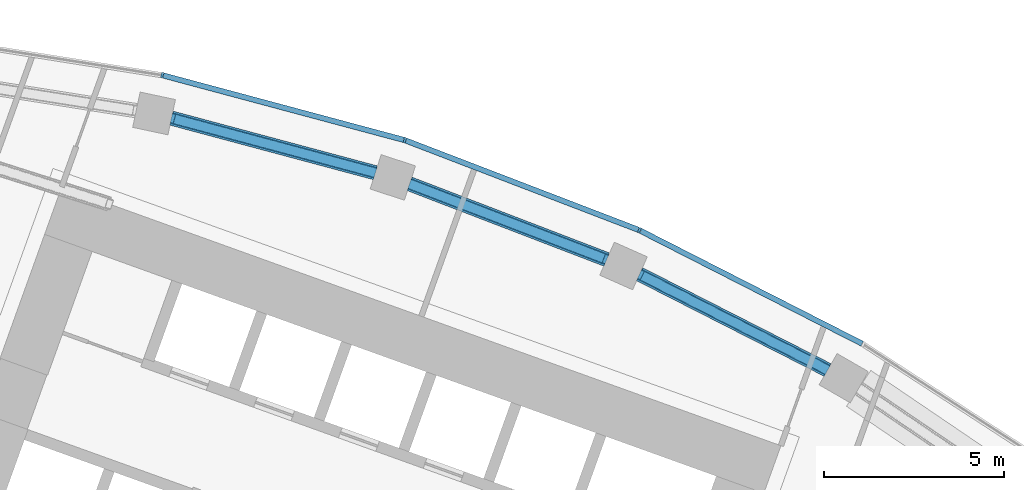
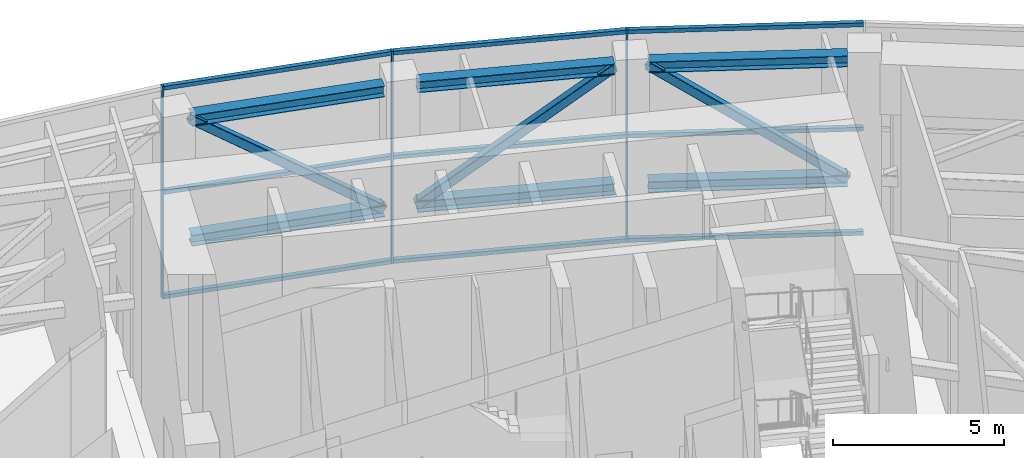
# One storey, part 13 of 32: 21 members, 1 element without a shape of its own.
"""IFC4 building model written with IfcOpenShell, lengths in metres."""

from ifc_helpers import new_model, si_unit, direction, frame, origin, origin_2d, place, context, subcontext, project, spatial, rectangle, hollow_rectangle, i_section, extrude, material, layer, layer_set, material_profile, profile_set, type_object, element, aggregate, save


model = new_model("IFC4")

# Units and contexts
model_context = context("Model", 3, precision=1e-05, world=origin(), true_north=direction((0.0, 1.0)))
body_context = subcontext(model_context, "Body", "Model", "MODEL_VIEW")
ifc_project = project(units=[si_unit("LENGTHUNIT", "METRE"), si_unit("AREAUNIT", "SQUARE_METRE"), si_unit("VOLUMEUNIT", "CUBIC_METRE"), si_unit("PLANEANGLEUNIT", "RADIAN"), si_unit("MASSUNIT", "GRAM", prefix="KILO")], contexts=[model_context])

# Site, building, storey
site_placement = place(None, origin())
site = spatial("IfcSite", under=ifc_project, at=site_placement, CompositionType="ELEMENT")
building_placement = place(site_placement, origin())
building = spatial("IfcBuilding", under=site, at=building_placement, Name="Stone Belt Terrace Tower", CompositionType="ELEMENT")
storey_placement = place(building_placement, frame((0.0, 0.0, 193.39990234375)))
storey = spatial("IfcBuildingStorey", under=building, at=storey_placement, Name="L47", CompositionType="ELEMENT", Elevation=193.39990234375)

# Members
ifc_material_1 = material(Name="Structural steel C345", Category="steel")
ifc_material_profile_1 = material_profile(ifc_material_1, i_section(OverallWidth=0.39794921875, OverallDepth=0.39404296875, WebThickness=0.010986328125, FlangeThickness=0.01806640625, at=origin_2d()), Name="I 40K1")
ifc_profile_set_1 = profile_set([ifc_material_profile_1], Name="Structural steel C345")
member_type_1 = type_object("IfcMemberType", Name="Belt chord I 40K1", PredefinedType="CHORD", material=ifc_profile_set_1)
for number, where, z_axis, x_axis, name in (
    (1, (14.099609375, 63.92822265625, 7.0830078125), (0.965917143819, -0.258851446349, 0.0), (0.258851446349, 0.965917143819, 0.0), "Belt truss T3 ring R top chord 11"),
    (2, (14.099609375, 63.92822265625, 2.797119140625), (0.965917143819, -0.258851446349, 0.0), (0.258851446349, 0.965917143819, 0.0), "Belt truss T3 ring R bot chord 11"),
    (3, (20.70458984375, 62.104248046875, 7.0830078125), (0.933580826938, -0.35836690636, 0.0), (0.35836690636, 0.933580826938, 0.0), "Belt truss T3 ring R top chord 12"),
    (4, (20.70458984375, 62.104248046875, 2.797119140625), (0.933580826938, -0.35836690636, 0.0), (0.35836690636, 0.933580826938, 0.0), "Belt truss T3 ring R bot chord 12"),
):
    element("IfcMember", number, at=place(storey_placement, frame(where, z_axis=z_axis, x_axis=x_axis)), inside=storey, type_object=member_type_1, Name=name, PredefinedType="CHORD", context=body_context, shape_type="SweptSolid", body=[
        extrude(i_section(OverallWidth=0.39794921875, OverallDepth=0.39404296875, WebThickness=0.010986328125, FlangeThickness=0.01806640625, at=origin_2d()), origin(), (0.0, 0.0, 1.0), 5.853271484375),
    ])
for number, where, z_axis, x_axis, name in (
    (5, (27.082763671875, 59.599609375, 7.0830078125), (0.891023263135, -0.453957646209, 0.0), (0.453957646209, 0.891023263135, 0.0), "Belt truss T3 ring R top chord 13"),
    (6, (27.082763671875, 59.599609375, 2.797119140625), (0.891023263135, -0.453957646209, 0.0), (0.453957646209, 0.891023263135, 0.0), "Belt truss T3 ring R bot chord 13"),
):
    element("IfcMember", number, at=place(storey_placement, frame(where, z_axis=z_axis, x_axis=x_axis)), inside=storey, type_object=member_type_1, Name=name, PredefinedType="CHORD", context=body_context, shape_type="SweptSolid", body=[
        extrude(i_section(OverallWidth=0.39794921875, OverallDepth=0.39404296875, WebThickness=0.010986328125, FlangeThickness=0.01806640625, at=origin_2d()), origin(), (0.0, 0.0, 1.0), 5.853515625),
    ])
ifc_material_profile_2 = material_profile(ifc_material_1, hollow_rectangle(XDim=0.300048828125, YDim=0.300048828125, WallThickness=0.011962890625, InnerFilletRadius=0.02392578125, OuterFilletRadius=0.035888671875, at=origin_2d()), Name="SHS 300x300x12")
ifc_profile_set_2 = profile_set([ifc_material_profile_2], Name="Structural steel C345")
member_type_2 = type_object("IfcMemberType", Name="Belt diagonal SHS 300x300x12", PredefinedType="BRACE", material=ifc_profile_set_2)
for number, where, z_axis, x_axis, name in (
    (7, (14.099609375, 63.92822265625, 7.0830078125), (0.779335181672, -0.208850252071, -0.590777662762), (0.258851446349, 0.965917143819, 0.0), "Belt truss T3 ring R diagonal 11"),
    (8, (20.70458984375, 62.104248046875, 2.797119140625), (0.753248273768, -0.289143956048, 0.590773061967), (0.35836690636, 0.933580826938, 0.0), "Belt truss T3 ring R diagonal 12"),
):
    element("IfcMember", number, at=place(storey_placement, frame(where, z_axis=z_axis, x_axis=x_axis)), inside=storey, type_object=member_type_2, Name=name, PredefinedType="BRACE", context=body_context, shape_type="SweptSolid", body=[
        extrude(hollow_rectangle(XDim=0.300048828125, YDim=0.300048828125, WallThickness=0.011962890625, InnerFilletRadius=0.02392578125, OuterFilletRadius=0.035888671875, at=origin_2d()), origin(), (0.0, 0.0, 1.0), 7.254638671875),
    ])
member_1_placement = place(storey_placement, frame((27.082763671875, 59.599609375, 7.0830078125), z_axis=(0.718915167956, -0.366272184994, -0.590767016499), x_axis=(0.453957646209, 0.891023263135, 0.0)))
element("IfcMember", 9, at=member_1_placement, inside=storey, type_object=member_type_2, Name="Belt truss T3 ring R diagonal 13", PredefinedType="BRACE", context=body_context, shape_type="SweptSolid", body=[
    extrude(hollow_rectangle(XDim=0.300048828125, YDim=0.300048828125, WallThickness=0.011962890625, InnerFilletRadius=0.02392578125, OuterFilletRadius=0.035888671875, at=origin_2d()), origin(), (0.0, 0.0, 1.0), 7.2548828125),
])

# Curtain wall, members
ifc_material_2 = material(Name="Aluminium 6063-T6 anodised frame", Category="aluminium")
ifc_layer = layer(ifc_material_2, 0.14990234375)
ifc_layer_set = layer_set([ifc_layer], Name="CW-A unitised convex-face curtain wall")
curtain_wall_type = type_object("IfcCurtainWallType", Name="CW-A unitised convex-face curtain wall", PredefinedType="NOTDEFINED", material=ifc_layer_set)
curtain_wall_placement = place(storey_placement, origin())
curtain_wall = element("IfcCurtainWall", 10, at=curtain_wall_placement, inside=storey, type_object=curtain_wall_type, Name="CW-A convex face L47", PredefinedType="NOTDEFINED")
ifc_material_profile_3 = material_profile(ifc_material_2, rectangle(XDim=0.14990234375, YDim=0.06005859375, at=origin_2d()), Name="Aluminium 6063-T6 60x150")
ifc_profile_set_3 = profile_set([ifc_material_profile_3], Name="Aluminium 6063-T6 anodised frame")
member_type_3 = type_object("IfcMemberType", Name="CW-A mullion 60 x 150", PredefinedType="MULLION", material=ifc_profile_set_3)
member_2_placement = place(storey_placement, frame((27.07861328125, 60.8193359375, 0.0), z_axis=(0.0, 0.0, 1.0), x_axis=(-0.406736643076, -0.913545457643, 0.0)))
member_2 = element("IfcMember", 11, at=member_2_placement, type_object=member_type_3, Name="CW-A mullion 5", PredefinedType="MULLION", context=body_context, shape_type="SweptSolid", body=[
    extrude(rectangle(XDim=0.14990234375, YDim=0.06005859375, at=origin_2d()), origin(), (0.0, 0.0, 1.0), 7.60009765625),
])
member_3_placement = place(storey_placement, frame((20.57275390625, 63.316650390625, 0.0), z_axis=(0.0, 0.0, 1.0), x_axis=(-0.309016994375, -0.951056516295, 0.0)))
member_3 = element("IfcMember", 12, at=member_3_placement, type_object=member_type_3, Name="CW-A mullion 6", PredefinedType="MULLION", context=body_context, shape_type="SweptSolid", body=[
    extrude(rectangle(XDim=0.14990234375, YDim=0.06005859375, at=origin_2d()), origin(), (0.0, 0.0, 1.0), 7.60009765625),
])
member_4_placement = place(storey_placement, frame((13.841796875, 65.120361328125, 0.0), z_axis=(0.0, 0.0, 1.0), x_axis=(-0.207911690818, -0.978147600734, 0.0)))
member_4 = element("IfcMember", 13, at=member_4_placement, type_object=member_type_3, Name="CW-A mullion 7", PredefinedType="MULLION", context=body_context, shape_type="SweptSolid", body=[
    extrude(rectangle(XDim=0.14990234375, YDim=0.06005859375, at=origin_2d()), origin(), (0.0, 0.0, 1.0), 7.60009765625),
])
ifc_material_profile_4 = material_profile(ifc_material_2, rectangle(XDim=0.14990234375, YDim=0.139892578125, at=origin_2d()), Name="Aluminium 6063-T6 150x140")
ifc_profile_set_4 = profile_set([ifc_material_profile_4], Name="Aluminium 6063-T6 anodised frame")
member_type_4 = type_object("IfcMemberType", Name="CW-A transom 140 x 150", PredefinedType="USERDEFINED", material=ifc_profile_set_4)
member_5_placement = place(storey_placement, frame((33.25732421875, 57.671142578125, 0.070068359375), z_axis=(-0.891012226264, 0.453979308613, 0.0), x_axis=(-0.453979308613, -0.891012226264, 0.0)))
member_5 = element("IfcMember", 14, at=member_5_placement, type_object=member_type_4, Name="CW-A transom 4.1", ObjectType="TRANSOM", PredefinedType="USERDEFINED", context=body_context, shape_type="SweptSolid", body=[
    extrude(rectangle(XDim=0.14990234375, YDim=0.139892578125, at=origin_2d()), origin(), (0.0, 0.0, 1.0), 6.90087890625),
])
member_6_placement = place(storey_placement, frame((33.25732421875, 57.671142578125, 3.800048828125), z_axis=(-0.891012226264, 0.453979308613, 0.0), x_axis=(-0.453979308613, -0.891012226264, 0.0)))
member_6 = element("IfcMember", 15, at=member_6_placement, type_object=member_type_4, Name="CW-A transom 4.2", ObjectType="TRANSOM", PredefinedType="USERDEFINED", context=body_context, shape_type="SweptSolid", body=[
    extrude(rectangle(XDim=0.14990234375, YDim=0.139892578125, at=origin_2d()), origin(), (0.0, 0.0, 1.0), 6.90087890625),
])
member_7_placement = place(storey_placement, frame((33.25732421875, 57.671142578125, 7.530029296875), z_axis=(-0.891012226264, 0.453979308613, 0.0), x_axis=(-0.453979308613, -0.891012226264, 0.0)))
member_7 = element("IfcMember", 16, at=member_7_placement, type_object=member_type_4, Name="CW-A transom 4.3", ObjectType="TRANSOM", PredefinedType="USERDEFINED", context=body_context, shape_type="SweptSolid", body=[
    extrude(rectangle(XDim=0.14990234375, YDim=0.139892578125, at=origin_2d()), origin(), (0.0, 0.0, 1.0), 6.90087890625),
])
member_8_placement = place(storey_placement, frame((27.046875, 60.83154296875, 0.070068359375), z_axis=(-0.933585210269, 0.358355487146, 0.0), x_axis=(-0.358355487146, -0.933585210269, 0.0)))
member_8 = element("IfcMember", 17, at=member_8_placement, type_object=member_type_4, Name="CW-A transom 5.1", ObjectType="TRANSOM", PredefinedType="USERDEFINED", context=body_context, shape_type="SweptSolid", body=[
    extrude(rectangle(XDim=0.14990234375, YDim=0.139892578125, at=origin_2d()), origin(), (0.0, 0.0, 1.0), 6.900634765625),
])
member_9_placement = place(storey_placement, frame((27.046875, 60.83154296875, 3.800048828125), z_axis=(-0.933585210269, 0.358355487146, 0.0), x_axis=(-0.358355487146, -0.933585210269, 0.0)))
member_9 = element("IfcMember", 18, at=member_9_placement, type_object=member_type_4, Name="CW-A transom 5.2", ObjectType="TRANSOM", PredefinedType="USERDEFINED", context=body_context, shape_type="SweptSolid", body=[
    extrude(rectangle(XDim=0.14990234375, YDim=0.139892578125, at=origin_2d()), origin(), (0.0, 0.0, 1.0), 6.900634765625),
])
member_10_placement = place(storey_placement, frame((27.046875, 60.83154296875, 7.530029296875), z_axis=(-0.933585210269, 0.358355487146, 0.0), x_axis=(-0.358355487146, -0.933585210269, 0.0)))
member_10 = element("IfcMember", 19, at=member_10_placement, type_object=member_type_4, Name="CW-A transom 5.3", ObjectType="TRANSOM", PredefinedType="USERDEFINED", context=body_context, shape_type="SweptSolid", body=[
    extrude(rectangle(XDim=0.14990234375, YDim=0.139892578125, at=origin_2d()), origin(), (0.0, 0.0, 1.0), 6.900634765625),
])
member_11_placement = place(storey_placement, frame((20.5400390625, 63.325439453125, 0.070068359375), z_axis=(-0.965921835863, 0.258833937117, 0.0), x_axis=(-0.258833937117, -0.965921835863, 0.0)))
member_11 = element("IfcMember", 20, at=member_11_placement, type_object=member_type_4, Name="CW-A transom 6.1", ObjectType="TRANSOM", PredefinedType="USERDEFINED", context=body_context, shape_type="SweptSolid", body=[
    extrude(rectangle(XDim=0.14990234375, YDim=0.139892578125, at=origin_2d()), origin(), (0.0, 0.0, 1.0), 6.900634765625),
])
member_12_placement = place(storey_placement, frame((20.5400390625, 63.325439453125, 3.800048828125), z_axis=(-0.965921835863, 0.258833937117, 0.0), x_axis=(-0.258833937117, -0.965921835863, 0.0)))
member_12 = element("IfcMember", 21, at=member_12_placement, type_object=member_type_4, Name="CW-A transom 6.2", ObjectType="TRANSOM", PredefinedType="USERDEFINED", context=body_context, shape_type="SweptSolid", body=[
    extrude(rectangle(XDim=0.14990234375, YDim=0.139892578125, at=origin_2d()), origin(), (0.0, 0.0, 1.0), 6.900634765625),
])
member_13_placement = place(storey_placement, frame((20.5400390625, 63.325439453125, 7.530029296875), z_axis=(-0.965921835863, 0.258833937117, 0.0), x_axis=(-0.258833937117, -0.965921835863, 0.0)))
member_13 = element("IfcMember", 22, at=member_13_placement, type_object=member_type_4, Name="CW-A transom 6.3", ObjectType="TRANSOM", PredefinedType="USERDEFINED", context=body_context, shape_type="SweptSolid", body=[
    extrude(rectangle(XDim=0.14990234375, YDim=0.139892578125, at=origin_2d()), origin(), (0.0, 0.0, 1.0), 6.900634765625),
])
aggregate(curtain_wall, [member_2, member_3, member_4, member_5, member_6, member_7, member_8, member_9, member_10, member_11, member_12, member_13])

save(model, "model.ifc")
